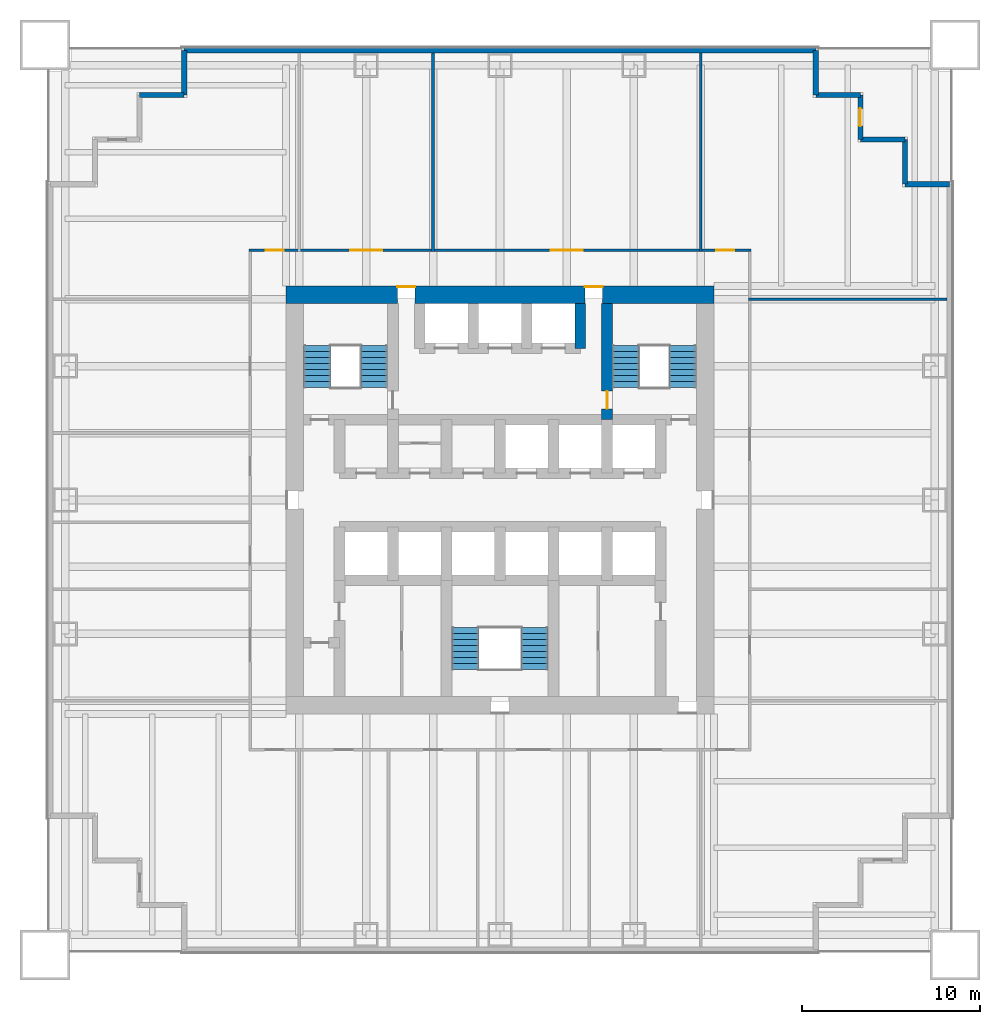
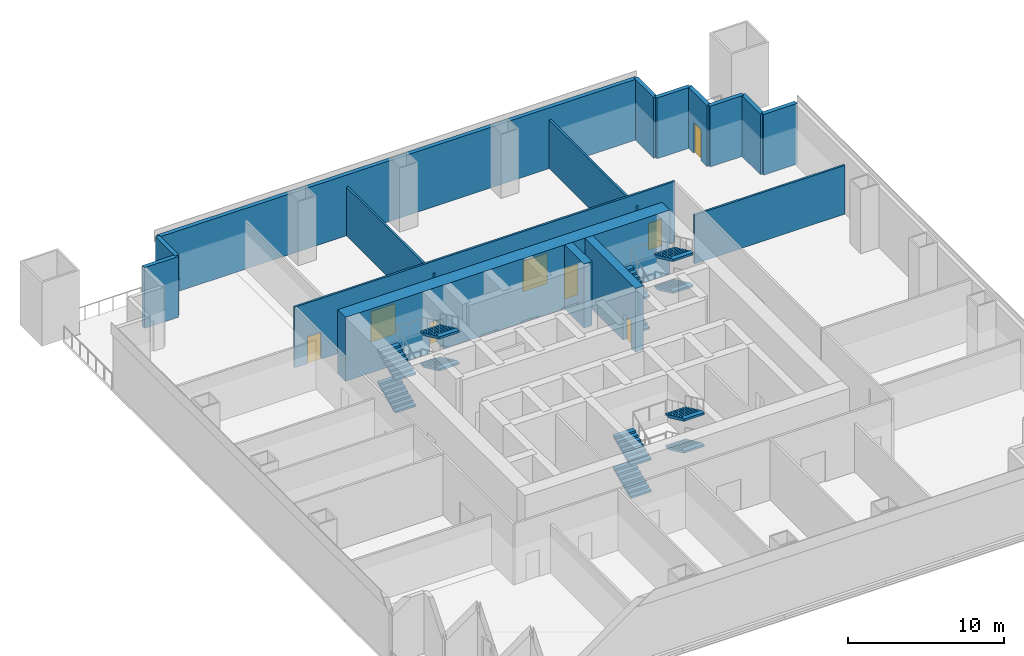
# One storey, part 4 of 6: 16 walls, 12 stair flights, 8 doors, 8 openings, 3 elements without a shape of their own.
"""IFC4 building model written with IfcOpenShell, lengths in metres."""

from ifc_helpers import new_model, si_unit, direction, frame, frame_2d, origin, place, context, subcontext, project, spatial, polyline, rectangle, outline, extrude, material, layer, layer_set, type_object, element, fill, aggregate, save


model = new_model("IFC4")

# Units and contexts
model_context = context("Model", 3, precision=1e-05, world=origin(), true_north=direction((0.0, 1.0)))
body_context = subcontext(model_context, "Body", "Model", "MODEL_VIEW")
ifc_project = project(units=[si_unit("LENGTHUNIT", "METRE"), si_unit("AREAUNIT", "SQUARE_METRE"), si_unit("VOLUMEUNIT", "CUBIC_METRE"), si_unit("PLANEANGLEUNIT", "RADIAN"), si_unit("MASSUNIT", "GRAM", prefix="KILO")], contexts=[model_context])

# Site, building, storey
site_placement = place(None, origin())
site = spatial("IfcSite", under=ifc_project, at=site_placement, CompositionType="ELEMENT")
building_placement = place(site_placement, origin())
building = spatial("IfcBuilding", under=site, at=building_placement, Name="Tarangal Relay Tower", CompositionType="ELEMENT")
storey_placement = place(building_placement, frame((0.0, 0.0, 93.39990234375)))
storey = spatial("IfcBuildingStorey", under=building, at=storey_placement, Name="L18", CompositionType="ELEMENT", Elevation=93.39990234375)

# Wall, opening, door
ifc_material_1 = material(Name="Concrete fc' 60 MPa", Category="concrete")
ifc_layer_1 = layer(ifc_material_1, 0.60009765625)
ifc_layer_set_1 = layer_set([ifc_layer_1], Name="Core inner wall 600")
wall_type_1 = type_object("IfcWallType", Name="Core inner wall 600", PredefinedType="SHEAR", material=ifc_layer_set_1)
wall_1_placement = place(storey_placement, frame((6.0, 4.5, 0.0), z_axis=(0.0, 0.0, 1.0), x_axis=(0.0, 1.0, 0.0)))
wall_1 = element("IfcWall", 1, at=wall_1_placement, inside=storey, type_object=wall_type_1, Name="Core wall X6 L18", PredefinedType="SHEAR", context=body_context, shape_type="SweptSolid", body=[
    extrude(rectangle(XDim=6.5, YDim=0.60009765625, at=frame_2d((3.25, 0.0))), origin(), (0.0, 0.0, 1.0), 5.0),
])
opening_1_placement = place(wall_1_placement, frame((0.60009765625, 0.0, 0.0)))
opening_1 = element("IfcOpeningElement", 2, at=opening_1_placement, cuts=wall_1, Name="Opening FD1", PredefinedType="OPENING", context=body_context, shape_type="SweptSolid", body=[
    extrude(rectangle(XDim=1.0, YDim=2.10009765625, at=frame_2d((0.5, 1.050048828125))), frame((0.0, 0.31005859375, 0.0), z_axis=(0.0, -1.0, 0.0), x_axis=(1.0, 0.0, 0.0)), (0.0, 0.0, 1.0), 0.6201171875),
])
ifc_material_2 = material(Name="Steel door with hardwood frame", Category="steel")
door_type_1 = type_object("IfcDoorType", Name="Fire door 1000 x 2100", OperationType="SINGLE_SWING_LEFT", PredefinedType="DOOR", material=ifc_material_2)
door_1_placement = place(opening_1_placement, origin())
door_1 = element("IfcDoor", 3, at=door_1_placement, inside=storey, type_object=door_type_1, Name="Stair ST-B door from fire-fighting lobby L18", OperationType="SINGLE_SWING_LEFT", OverallHeight=2.10009765625, OverallWidth=1.0, PredefinedType="DOOR", context=body_context, shape_type="SweptSolid", body=[
    extrude(rectangle(XDim=1.0, YDim=2.10009765625, at=frame_2d((0.5, 1.050048828125))), frame((0.0, 0.02490234375, 0.0), z_axis=(0.0, -1.0, 0.0), x_axis=(1.0, 0.0, 0.0)), (0.0, 0.0, 1.0), 0.050048828125),
])
fill(opening_1, door_1)

# Wall
wall_2_placement = place(storey_placement, frame((4.5, 8.5, 0.0), z_axis=(0.0, 0.0, 1.0), x_axis=(0.0, 1.0, 0.0)))
element("IfcWall", 4, at=wall_2_placement, inside=storey, type_object=wall_type_1, Name="Core wall X45 L18", PredefinedType="SHEAR", context=body_context, shape_type="SweptSolid", body=[
    extrude(rectangle(XDim=2.5, YDim=0.60009765625, at=frame_2d((1.25, 0.0))), origin(), (0.0, 0.0, 1.0), 5.0),
])

# Wall, openings, doors
ifc_layer_2 = layer(ifc_material_1, 1.0)
ifc_layer_set_2 = layer_set([ifc_layer_2], Name="Core wall 1000")
wall_type_2 = type_object("IfcWallType", Name="Core wall 1000", PredefinedType="SHEAR", material=ifc_layer_set_2)
wall_3_placement = place(storey_placement, frame((-12.0, 11.5, 0.0), z_axis=(0.0, 0.0, 1.0), x_axis=(1.0, 0.0, 0.0)))
wall_3 = element("IfcWall", 5, at=wall_3_placement, inside=storey, type_object=wall_type_2, Name="Core wall N L18", PredefinedType="SHEAR", context=body_context, shape_type="SweptSolid", body=[
    extrude(rectangle(XDim=24.0, YDim=1.0, at=frame_2d((12.0, 0.0))), origin(), (0.0, 0.0, 1.0), 5.0),
])
opening_2_placement = place(wall_3_placement, frame((6.25, 0.0, 0.0)))
opening_2 = element("IfcOpeningElement", 6, at=opening_2_placement, cuts=wall_3, Name="Opening FD3", PredefinedType="OPENING", context=body_context, shape_type="SweptSolid", body=[
    extrude(rectangle(XDim=1.0, YDim=2.39990234375, at=frame_2d((0.5, 1.199951171875))), frame((0.0, 0.510009765625, 0.0), z_axis=(0.0, -1.0, 0.0), x_axis=(1.0, 0.0, 0.0)), (0.0, 0.0, 1.0), 1.02001953125),
])
opening_3_placement = place(wall_3_placement, frame((16.75, 0.0, 0.0)))
opening_3 = element("IfcOpeningElement", 7, at=opening_3_placement, cuts=wall_3, Name="Opening FD3", PredefinedType="OPENING", context=body_context, shape_type="SweptSolid", body=[
    extrude(rectangle(XDim=1.0, YDim=2.39990234375, at=frame_2d((0.5, 1.199951171875))), frame((0.0, 0.510009765625, 0.0), z_axis=(0.0, -1.0, 0.0), x_axis=(1.0, 0.0, 0.0)), (0.0, 0.0, 1.0), 1.02001953125),
])
door_type_2 = type_object("IfcDoorType", Name="Fire door 1000 x 2400 core entry", OperationType="SINGLE_SWING_RIGHT", PredefinedType="DOOR", material=ifc_material_2)
door_2_placement = place(opening_2_placement, origin())
door_2 = element("IfcDoor", 8, at=door_2_placement, inside=storey, type_object=door_type_2, Name="Core entry door north west L18", OperationType="SINGLE_SWING_RIGHT", OverallHeight=2.39990234375, OverallWidth=1.0, PredefinedType="DOOR", context=body_context, shape_type="SweptSolid", body=[
    extrude(rectangle(XDim=1.0, YDim=2.39990234375, at=frame_2d((0.5, 1.199951171875))), frame((0.0, 0.48486328125, 0.0), z_axis=(0.0, -1.0, 0.0), x_axis=(1.0, 0.0, 0.0)), (0.0, 0.0, 1.0), 0.050048828125),
])
fill(opening_2, door_2)
door_3_placement = place(opening_3_placement, origin())
door_3 = element("IfcDoor", 9, at=door_3_placement, inside=storey, type_object=door_type_2, Name="Core entry door north east L18", OperationType="SINGLE_SWING_RIGHT", OverallHeight=2.39990234375, OverallWidth=1.0, PredefinedType="DOOR", context=body_context, shape_type="SweptSolid", body=[
    extrude(rectangle(XDim=1.0, YDim=2.39990234375, at=frame_2d((0.5, 1.199951171875))), frame((0.0, 0.48486328125, 0.0), z_axis=(0.0, -1.0, 0.0), x_axis=(1.0, 0.0, 0.0)), (0.0, 0.0, 1.0), 0.050048828125),
])
fill(opening_3, door_3)

# Walls
ifc_material_3 = material(Name="Insulated precast concrete fc' 40 MPa", Category="concrete")
ifc_layer_3 = layer(ifc_material_3, 0.300048828125)
ifc_layer_set_3 = layer_set([ifc_layer_3], Name="Insulated precast concrete fc' 40 MPa")
wall_type_3 = type_object("IfcWallType", Name="Facade wall precast 300", PredefinedType="SOLIDWALL", material=ifc_layer_set_3)
wall_4_placement = place(storey_placement, frame((-17.699951171875, 25.199951171875, 0.0), z_axis=(0.0, 0.0, 1.0), x_axis=(1.0, 0.0, 0.0)))
element("IfcWall", 10, at=wall_4_placement, inside=storey, type_object=wall_type_3, Name="Facade wall N facade L18", PredefinedType="SOLIDWALL", context=body_context, shape_type="SweptSolid", body=[
    extrude(rectangle(XDim=35.39990234375, YDim=0.300048828125, at=frame_2d((17.699951171875, 0.0))), origin(), (0.0, 0.0, 1.0), 4.75),
])
for number, where, z_axis, x_axis, name in (
    (11, (17.699951171875, 25.199951171875, 0.0), (0.0, 0.0, 1.0), (0.0, -1.0, 0.0), "Facade wall N facade L18"),
    (12, (17.699951171875, 22.699951171875, 0.0), (0.0, 0.0, 1.0), (1.0, 0.0, 0.0), "Facade wall N facade L18"),
):
    element("IfcWall", number, at=place(storey_placement, frame(where, z_axis=z_axis, x_axis=x_axis)), inside=storey, type_object=wall_type_3, Name=name, PredefinedType="SOLIDWALL", context=body_context, shape_type="SweptSolid", body=[
        extrude(rectangle(XDim=2.5, YDim=0.300048828125, at=frame_2d((1.25, 0.0))), origin(), (0.0, 0.0, 1.0), 4.75),
    ])

# Wall, opening, door
wall_5_placement = place(storey_placement, frame((20.199951171875, 22.699951171875, 0.0), z_axis=(0.0, 0.0, 1.0), x_axis=(0.0, -1.0, 0.0)))
wall_5 = element("IfcWall", 13, at=wall_5_placement, inside=storey, type_object=wall_type_3, Name="Facade wall N facade L18", PredefinedType="SOLIDWALL", context=body_context, shape_type="SweptSolid", body=[
    extrude(rectangle(XDim=2.5, YDim=0.300048828125, at=frame_2d((1.25, 0.0))), origin(), (0.0, 0.0, 1.0), 4.75),
])
opening_4_placement = place(wall_5_placement, frame((0.75, 0.0, 0.0)))
opening_4 = element("IfcOpeningElement", 14, at=opening_4_placement, cuts=wall_5, Name="Opening TD1", PredefinedType="OPENING", context=body_context, shape_type="SweptSolid", body=[
    extrude(rectangle(XDim=1.0, YDim=2.39990234375, at=frame_2d((0.5, 1.199951171875))), frame((0.0, 0.159912109375, 0.0), z_axis=(0.0, -1.0, 0.0), x_axis=(1.0, 0.0, 0.0)), (0.0, 0.0, 1.0), 0.320068359375),
])
ifc_material_4 = material(Name="Aluminium glazed door", Category="aluminium")
door_type_3 = type_object("IfcDoorType", Name="Terrace door 1000 x 2400", OperationType="SINGLE_SWING_RIGHT", PredefinedType="DOOR", material=ifc_material_4)
door_4_placement = place(opening_4_placement, origin())
door_4 = element("IfcDoor", 15, at=door_4_placement, inside=storey, type_object=door_type_3, Name="Terrace door TD1 NE L18", OperationType="SINGLE_SWING_RIGHT", OverallHeight=2.39990234375, OverallWidth=1.0, PredefinedType="DOOR", context=body_context, shape_type="SweptSolid", body=[
    extrude(rectangle(XDim=1.0, YDim=2.39990234375, at=frame_2d((0.5, 1.199951171875))), frame((0.0, 0.02490234375, 0.0), z_axis=(0.0, -1.0, 0.0), x_axis=(1.0, 0.0, 0.0)), (0.0, 0.0, 1.0), 0.050048828125),
])
fill(opening_4, door_4)

# Walls
for number, where, z_axis, x_axis, name in (
    (16, (20.199951171875, 20.199951171875, 0.0), (0.0, 0.0, 1.0), (1.0, 0.0, 0.0), "Facade wall N facade L18"),
    (17, (22.699951171875, 20.199951171875, 0.0), (0.0, 0.0, 1.0), (0.0, -1.0, 0.0), "Facade wall N facade L18"),
    (18, (22.699951171875, 17.699951171875, 0.0), (0.0, 0.0, 1.0), (1.0, 0.0, 0.0), "Facade wall N facade L18"),
    (19, (-20.199951171875, 22.699951171875, 0.0), (0.0, 0.0, 1.0), (1.0, 0.0, 0.0), "Facade wall W facade L18"),
    (20, (-17.699951171875, 22.699951171875, 0.0), (0.0, 0.0, 1.0), (0.0, 1.0, 0.0), "Facade wall W facade L18"),
):
    element("IfcWall", number, at=place(storey_placement, frame(where, z_axis=z_axis, x_axis=x_axis)), inside=storey, type_object=wall_type_3, Name=name, PredefinedType="SOLIDWALL", context=body_context, shape_type="SweptSolid", body=[
        extrude(rectangle(XDim=2.5, YDim=0.300048828125, at=frame_2d((1.25, 0.0))), origin(), (0.0, 0.0, 1.0), 4.75),
    ])
ifc_material_5 = material(Name="Gypsum board on steel studs", Category="steel")
ifc_layer_4 = layer(ifc_material_5, 0.14990234375)
ifc_layer_set_4 = layer_set([ifc_layer_4], Name="Partition 150")
wall_type_4 = type_object("IfcWallType", Name="Partition 150", PredefinedType="PARTITIONING", material=ifc_layer_set_4)
wall_6_placement = place(storey_placement, frame((13.925048828125, 11.25, 0.0), z_axis=(0.0, 0.0, 1.0), x_axis=(1.0, 0.0, 0.0)))
element("IfcWall", 21, at=wall_6_placement, inside=storey, type_object=wall_type_4, Name="Partition PT1 L18", PredefinedType="PARTITIONING", context=body_context, shape_type="SweptSolid", body=[
    extrude(rectangle(XDim=11.125, YDim=0.14990234375, at=frame_2d((5.5625, 0.0))), origin(), (0.0, 0.0, 1.0), 3.822998046875),
])

# Wall, openings, doors
wall_7_placement = place(storey_placement, frame((-14.074951171875, 14.0, 0.0), z_axis=(0.0, 0.0, 1.0), x_axis=(1.0, 0.0, 0.0)))
wall_7 = element("IfcWall", 22, at=wall_7_placement, inside=storey, type_object=wall_type_4, Name="Partition PT1 L18", PredefinedType="PARTITIONING", context=body_context, shape_type="SweptSolid", body=[
    extrude(rectangle(XDim=28.14990234375, YDim=0.14990234375, at=frame_2d((14.074951171875, 0.0))), origin(), (0.0, 0.0, 1.0), 4.75),
])
opening_5_placement = place(wall_7_placement, frame((5.675048828125, 0.0, 0.0)))
opening_5 = element("IfcOpeningElement", 23, at=opening_5_placement, cuts=wall_7, Name="Opening DD1", PredefinedType="OPENING", context=body_context, shape_type="SweptSolid", body=[
    extrude(rectangle(XDim=1.800048828125, YDim=2.39990234375, at=frame_2d((0.89990234375, 1.199951171875))), frame((0.0, 0.0849609375, 0.0), z_axis=(0.0, -1.0, 0.0), x_axis=(1.0, 0.0, 0.0)), (0.0, 0.0, 1.0), 0.169921875),
])
opening_6_placement = place(wall_7_placement, frame((16.925048828125, 0.0, 0.0)))
opening_6 = element("IfcOpeningElement", 24, at=opening_6_placement, cuts=wall_7, Name="Opening DD1", PredefinedType="OPENING", context=body_context, shape_type="SweptSolid", body=[
    extrude(rectangle(XDim=1.800048828125, YDim=2.39990234375, at=frame_2d((0.89990234375, 1.199951171875))), frame((0.0, 0.0849609375, 0.0), z_axis=(0.0, -1.0, 0.0), x_axis=(1.0, 0.0, 0.0)), (0.0, 0.0, 1.0), 0.169921875),
])
opening_7_placement = place(wall_7_placement, frame((26.199951171875, 0.0, 0.0)))
opening_7 = element("IfcOpeningElement", 25, at=opening_7_placement, cuts=wall_7, Name="Opening D2", PredefinedType="OPENING", context=body_context, shape_type="SweptSolid", body=[
    extrude(rectangle(XDim=1.0, YDim=2.10009765625, at=frame_2d((0.5, 1.050048828125))), frame((0.0, 0.0849609375, 0.0), z_axis=(0.0, -1.0, 0.0), x_axis=(1.0, 0.0, 0.0)), (0.0, 0.0, 1.0), 0.169921875),
])
opening_8_placement = place(wall_7_placement, frame((0.949951171875, 0.0, 0.0)))
opening_8 = element("IfcOpeningElement", 26, at=opening_8_placement, cuts=wall_7, Name="Opening D2", PredefinedType="OPENING", context=body_context, shape_type="SweptSolid", body=[
    extrude(rectangle(XDim=1.0, YDim=2.10009765625, at=frame_2d((0.5, 1.050048828125))), frame((0.0, 0.0849609375, 0.0), z_axis=(0.0, -1.0, 0.0), x_axis=(1.0, 0.0, 0.0)), (0.0, 0.0, 1.0), 0.169921875),
])
ifc_material_6 = material(Name="Hardwood door", Category="wood")
door_type_4 = type_object("IfcDoorType", Name="Door 1000 x 2100", OperationType="SINGLE_SWING_LEFT", PredefinedType="DOOR", material=ifc_material_6)
door_5_placement = place(opening_7_placement, origin())
door_5 = element("IfcDoor", 27, at=door_5_placement, inside=storey, type_object=door_type_4, Name="Door D2 to network operations room L18-14", OperationType="SINGLE_SWING_LEFT", OverallHeight=2.10009765625, OverallWidth=1.0, PredefinedType="DOOR", context=body_context, shape_type="SweptSolid", body=[
    extrude(rectangle(XDim=1.0, YDim=2.10009765625, at=frame_2d((0.5, 1.050048828125))), frame((0.0, 0.02490234375, 0.0), z_axis=(0.0, -1.0, 0.0), x_axis=(1.0, 0.0, 0.0)), (0.0, 0.0, 1.0), 0.050048828125),
])
fill(opening_7, door_5)
door_6_placement = place(opening_8_placement, origin())
door_6 = element("IfcDoor", 28, at=door_6_placement, inside=storey, type_object=door_type_4, Name="Door D2 to customer office L18-17", OperationType="SINGLE_SWING_LEFT", OverallHeight=2.10009765625, OverallWidth=1.0, PredefinedType="DOOR", context=body_context, shape_type="SweptSolid", body=[
    extrude(rectangle(XDim=1.0, YDim=2.10009765625, at=frame_2d((0.5, 1.050048828125))), frame((0.0, 0.02490234375, 0.0), z_axis=(0.0, -1.0, 0.0), x_axis=(1.0, 0.0, 0.0)), (0.0, 0.0, 1.0), 0.050048828125),
])
fill(opening_8, door_6)
door_type_5 = type_object("IfcDoorType", Name="Equipment double door 1800 x 2400", OperationType="DOUBLE_DOOR_SINGLE_SWING", PredefinedType="DOOR", material=ifc_material_2)
door_7_placement = place(opening_5_placement, origin())
door_7 = element("IfcDoor", 29, at=door_7_placement, inside=storey, type_object=door_type_5, Name="Door DD1 to switchgear room L18-02", OperationType="DOUBLE_DOOR_SINGLE_SWING", OverallHeight=2.39990234375, OverallWidth=1.800048828125, PredefinedType="DOOR", context=body_context, shape_type="SweptSolid", body=[
    extrude(rectangle(XDim=1.800048828125, YDim=2.39990234375, at=frame_2d((0.89990234375, 1.199951171875))), frame((0.0, 0.02490234375, 0.0), z_axis=(0.0, -1.0, 0.0), x_axis=(1.0, 0.0, 0.0)), (0.0, 0.0, 1.0), 0.050048828125),
])
fill(opening_5, door_7)
door_8_placement = place(opening_6_placement, origin())
door_8 = element("IfcDoor", 30, at=door_8_placement, inside=storey, type_object=door_type_5, Name="Door DD1 to data hall L18-03", OperationType="DOUBLE_DOOR_SINGLE_SWING", OverallHeight=2.39990234375, OverallWidth=1.800048828125, PredefinedType="DOOR", context=body_context, shape_type="SweptSolid", body=[
    extrude(rectangle(XDim=1.800048828125, YDim=2.39990234375, at=frame_2d((0.89990234375, 1.199951171875))), frame((0.0, 0.02490234375, 0.0), z_axis=(0.0, -1.0, 0.0), x_axis=(1.0, 0.0, 0.0)), (0.0, 0.0, 1.0), 0.050048828125),
])
fill(opening_6, door_8)

# Walls
for number, where, z_axis, x_axis, name in (
    (31, (-3.75, 13.925048828125, 0.0), (0.0, 0.0, 1.0), (0.0, 1.0, 0.0), "Partition PT1 L18"),
    (32, (11.25, 13.925048828125, 0.0), (0.0, 0.0, 1.0), (0.0, 1.0, 0.0), "Partition PT1 L18"),
):
    element("IfcWall", number, at=place(storey_placement, frame(where, z_axis=z_axis, x_axis=x_axis)), inside=storey, type_object=wall_type_4, Name=name, PredefinedType="PARTITIONING", context=body_context, shape_type="SweptSolid", body=[
        extrude(rectangle(XDim=11.125, YDim=0.14990234375, at=frame_2d((5.5625, 0.0))), origin(), (0.0, 0.0, 1.0), 3.822998046875),
    ])

# Stair, stair flights
ifc_material_7 = material(Name="Steel ASTM A992 stair flight", Category="steel")
stair_type = type_object("IfcStairType", Name="Core stair 1500", PredefinedType="HALF_TURN_STAIR", material=ifc_material_7)
stair_1_placement = place(storey_placement, origin())
stair_1 = element("IfcStair", 33, at=stair_1_placement, inside=storey, type_object=stair_type, Name="Stair ST-A L18", PredefinedType="HALF_TURN_STAIR")
stair_flight_type = type_object("IfcStairFlightType", Name="Steel stair flight 1500, 8 risers 156 x 335", PredefinedType="STRAIGHT", material=ifc_material_7)
stair_flight_1_placement = place(storey_placement, frame((-10.25, 6.300048828125, 0.0), z_axis=(0.0, 0.0, 1.0), x_axis=(0.0, 1.0, 0.0)))
stair_flight_1 = element("IfcStairFlight", 34, at=stair_flight_1_placement, type_object=stair_flight_type, Name="ST-A flight 1", NumberOfRisers=8, NumberOfTreads=7, PredefinedType="STRAIGHT", RiserHeight=0.15625, TreadLength=0.335, context=body_context, shape_type="SweptSolid", body=[
    extrude(outline(polyline([(0.0, 0.0), (0.0, 0.15625), (0.3349609375, 0.15625), (0.3349609375, 0.3125), (0.669921875, 0.3125), (0.669921875, 0.46875), (1.0048828125, 0.46875), (1.0048828125, 0.625), (1.340087890625, 0.625), (1.340087890625, 0.78125), (1.675048828125, 0.78125), (1.675048828125, 0.9375), (2.010009765625, 0.9375), (2.010009765625, 1.09375), (2.344970703125, 1.09375), (2.344970703125, 1.25), (2.344970703125, 0.92822265625), (0.354736328125, 0.0), (0.0, 0.0)])), frame((0.0, 0.75, 0.0), z_axis=(0.0, -1.0, 0.0), x_axis=(1.0, 0.0, 0.0)), (0.0, 0.0, 1.0), 1.5),
])
stair_flight_2_placement = place(storey_placement, frame((-7.050048828125, 8.64501953125, 1.25), z_axis=(0.0, 0.0, 1.0), x_axis=(0.0, -1.0, 0.0)))
stair_flight_2 = element("IfcStairFlight", 35, at=stair_flight_2_placement, type_object=stair_flight_type, Name="ST-A flight 2", NumberOfRisers=8, NumberOfTreads=7, PredefinedType="STRAIGHT", RiserHeight=0.15625, TreadLength=0.335, context=body_context, shape_type="SweptSolid", body=[
    extrude(outline(polyline([(0.0, 0.0), (0.0, 0.15625), (0.3349609375, 0.15625), (0.3349609375, 0.3125), (0.669921875, 0.3125), (0.669921875, 0.46875), (1.0048828125, 0.46875), (1.0048828125, 0.625), (1.340087890625, 0.625), (1.340087890625, 0.78125), (1.675048828125, 0.78125), (1.675048828125, 0.9375), (2.010009765625, 0.9375), (2.010009765625, 1.09375), (2.344970703125, 1.09375), (2.344970703125, 1.25), (2.344970703125, 0.92822265625), (0.354736328125, 0.0), (0.0, 0.0)])), frame((0.0, 0.75, 0.0), z_axis=(0.0, -1.0, 0.0), x_axis=(1.0, 0.0, 0.0)), (0.0, 0.0, 1.0), 1.5),
])
stair_flight_3_placement = place(storey_placement, frame((-10.25, 6.300048828125, 2.5), z_axis=(0.0, 0.0, 1.0), x_axis=(0.0, 1.0, 0.0)))
stair_flight_3 = element("IfcStairFlight", 36, at=stair_flight_3_placement, type_object=stair_flight_type, Name="ST-A flight 3", NumberOfRisers=8, NumberOfTreads=7, PredefinedType="STRAIGHT", RiserHeight=0.15625, TreadLength=0.335, context=body_context, shape_type="SweptSolid", body=[
    extrude(outline(polyline([(0.0, 0.0), (0.0, 0.15625), (0.3349609375, 0.15625), (0.3349609375, 0.3125), (0.669921875, 0.3125), (0.669921875, 0.46875), (1.0048828125, 0.46875), (1.0048828125, 0.625), (1.340087890625, 0.625), (1.340087890625, 0.78125), (1.675048828125, 0.78125), (1.675048828125, 0.9375), (2.010009765625, 0.9375), (2.010009765625, 1.09375), (2.344970703125, 1.09375), (2.344970703125, 1.25), (2.344970703125, 0.92822265625), (0.354736328125, 0.0), (0.0, 0.0)])), frame((0.0, 0.75, 0.0), z_axis=(0.0, -1.0, 0.0), x_axis=(1.0, 0.0, 0.0)), (0.0, 0.0, 1.0), 1.5),
])
stair_flight_4_placement = place(storey_placement, frame((-7.050048828125, 8.64501953125, 3.75), z_axis=(0.0, 0.0, 1.0), x_axis=(0.0, -1.0, 0.0)))
stair_flight_4 = element("IfcStairFlight", 37, at=stair_flight_4_placement, type_object=stair_flight_type, Name="ST-A flight 4", NumberOfRisers=8, NumberOfTreads=7, PredefinedType="STRAIGHT", RiserHeight=0.15625, TreadLength=0.335, context=body_context, shape_type="SweptSolid", body=[
    extrude(outline(polyline([(0.0, 0.0), (0.0, 0.15625), (0.3349609375, 0.15625), (0.3349609375, 0.3125), (0.669921875, 0.3125), (0.669921875, 0.46875), (1.0048828125, 0.46875), (1.0048828125, 0.625), (1.340087890625, 0.625), (1.340087890625, 0.78125), (1.675048828125, 0.78125), (1.675048828125, 0.9375), (2.010009765625, 0.9375), (2.010009765625, 1.09375), (2.344970703125, 1.09375), (2.344970703125, 1.25), (2.344970703125, 0.92822265625), (0.354736328125, 0.0), (0.0, 0.0)])), frame((0.0, 0.75, 0.0), z_axis=(0.0, -1.0, 0.0), x_axis=(1.0, 0.0, 0.0)), (0.0, 0.0, 1.0), 1.5),
])
aggregate(stair_1, [stair_flight_1, stair_flight_2, stair_flight_3, stair_flight_4])

stair_2_placement = place(storey_placement, origin())
stair_2 = element("IfcStair", 38, at=stair_2_placement, inside=storey, type_object=stair_type, Name="Stair ST-B L18", PredefinedType="HALF_TURN_STAIR")
stair_flight_5_placement = place(storey_placement, frame((7.050048828125, 6.300048828125, 0.0), z_axis=(0.0, 0.0, 1.0), x_axis=(0.0, 1.0, 0.0)))
stair_flight_5 = element("IfcStairFlight", 39, at=stair_flight_5_placement, type_object=stair_flight_type, Name="ST-B flight 1", NumberOfRisers=8, NumberOfTreads=7, PredefinedType="STRAIGHT", RiserHeight=0.15625, TreadLength=0.335, context=body_context, shape_type="SweptSolid", body=[
    extrude(outline(polyline([(0.0, 0.0), (0.0, 0.15625), (0.3349609375, 0.15625), (0.3349609375, 0.3125), (0.669921875, 0.3125), (0.669921875, 0.46875), (1.0048828125, 0.46875), (1.0048828125, 0.625), (1.340087890625, 0.625), (1.340087890625, 0.78125), (1.675048828125, 0.78125), (1.675048828125, 0.9375), (2.010009765625, 0.9375), (2.010009765625, 1.09375), (2.344970703125, 1.09375), (2.344970703125, 1.25), (2.344970703125, 0.92822265625), (0.354736328125, 0.0), (0.0, 0.0)])), frame((0.0, 0.75, 0.0), z_axis=(0.0, -1.0, 0.0), x_axis=(1.0, 0.0, 0.0)), (0.0, 0.0, 1.0), 1.5),
])
stair_flight_6_placement = place(storey_placement, frame((10.25, 8.64501953125, 1.25), z_axis=(0.0, 0.0, 1.0), x_axis=(0.0, -1.0, 0.0)))
stair_flight_6 = element("IfcStairFlight", 40, at=stair_flight_6_placement, type_object=stair_flight_type, Name="ST-B flight 2", NumberOfRisers=8, NumberOfTreads=7, PredefinedType="STRAIGHT", RiserHeight=0.15625, TreadLength=0.335, context=body_context, shape_type="SweptSolid", body=[
    extrude(outline(polyline([(0.0, 0.0), (0.0, 0.15625), (0.3349609375, 0.15625), (0.3349609375, 0.3125), (0.669921875, 0.3125), (0.669921875, 0.46875), (1.0048828125, 0.46875), (1.0048828125, 0.625), (1.340087890625, 0.625), (1.340087890625, 0.78125), (1.675048828125, 0.78125), (1.675048828125, 0.9375), (2.010009765625, 0.9375), (2.010009765625, 1.09375), (2.344970703125, 1.09375), (2.344970703125, 1.25), (2.344970703125, 0.92822265625), (0.354736328125, 0.0), (0.0, 0.0)])), frame((0.0, 0.75, 0.0), z_axis=(0.0, -1.0, 0.0), x_axis=(1.0, 0.0, 0.0)), (0.0, 0.0, 1.0), 1.5),
])
stair_flight_7_placement = place(storey_placement, frame((7.050048828125, 6.300048828125, 2.5), z_axis=(0.0, 0.0, 1.0), x_axis=(0.0, 1.0, 0.0)))
stair_flight_7 = element("IfcStairFlight", 41, at=stair_flight_7_placement, type_object=stair_flight_type, Name="ST-B flight 3", NumberOfRisers=8, NumberOfTreads=7, PredefinedType="STRAIGHT", RiserHeight=0.15625, TreadLength=0.335, context=body_context, shape_type="SweptSolid", body=[
    extrude(outline(polyline([(0.0, 0.0), (0.0, 0.15625), (0.3349609375, 0.15625), (0.3349609375, 0.3125), (0.669921875, 0.3125), (0.669921875, 0.46875), (1.0048828125, 0.46875), (1.0048828125, 0.625), (1.340087890625, 0.625), (1.340087890625, 0.78125), (1.675048828125, 0.78125), (1.675048828125, 0.9375), (2.010009765625, 0.9375), (2.010009765625, 1.09375), (2.344970703125, 1.09375), (2.344970703125, 1.25), (2.344970703125, 0.92822265625), (0.354736328125, 0.0), (0.0, 0.0)])), frame((0.0, 0.75, 0.0), z_axis=(0.0, -1.0, 0.0), x_axis=(1.0, 0.0, 0.0)), (0.0, 0.0, 1.0), 1.5),
])
stair_flight_8_placement = place(storey_placement, frame((10.25, 8.64501953125, 3.75), z_axis=(0.0, 0.0, 1.0), x_axis=(0.0, -1.0, 0.0)))
stair_flight_8 = element("IfcStairFlight", 42, at=stair_flight_8_placement, type_object=stair_flight_type, Name="ST-B flight 4", NumberOfRisers=8, NumberOfTreads=7, PredefinedType="STRAIGHT", RiserHeight=0.15625, TreadLength=0.335, context=body_context, shape_type="SweptSolid", body=[
    extrude(outline(polyline([(0.0, 0.0), (0.0, 0.15625), (0.3349609375, 0.15625), (0.3349609375, 0.3125), (0.669921875, 0.3125), (0.669921875, 0.46875), (1.0048828125, 0.46875), (1.0048828125, 0.625), (1.340087890625, 0.625), (1.340087890625, 0.78125), (1.675048828125, 0.78125), (1.675048828125, 0.9375), (2.010009765625, 0.9375), (2.010009765625, 1.09375), (2.344970703125, 1.09375), (2.344970703125, 1.25), (2.344970703125, 0.92822265625), (0.354736328125, 0.0), (0.0, 0.0)])), frame((0.0, 0.75, 0.0), z_axis=(0.0, -1.0, 0.0), x_axis=(1.0, 0.0, 0.0)), (0.0, 0.0, 1.0), 1.5),
])
aggregate(stair_2, [stair_flight_5, stair_flight_6, stair_flight_7, stair_flight_8])

stair_3_placement = place(storey_placement, origin())
stair_3 = element("IfcStair", 43, at=stair_3_placement, inside=storey, type_object=stair_type, Name="Stair ST-C L18", PredefinedType="HALF_TURN_STAIR")
stair_flight_9_placement = place(storey_placement, frame((-1.949951171875, -9.5, 0.0), z_axis=(0.0, 0.0, 1.0), x_axis=(0.0, 1.0, 0.0)))
stair_flight_9 = element("IfcStairFlight", 44, at=stair_flight_9_placement, type_object=stair_flight_type, Name="ST-C flight 1", NumberOfRisers=8, NumberOfTreads=7, PredefinedType="STRAIGHT", RiserHeight=0.15625, TreadLength=0.335, context=body_context, shape_type="SweptSolid", body=[
    extrude(outline(polyline([(0.0, 0.0), (0.0, 0.15625), (0.3349609375, 0.15625), (0.3349609375, 0.3125), (0.669921875, 0.3125), (0.669921875, 0.46875), (1.0048828125, 0.46875), (1.0048828125, 0.625), (1.340087890625, 0.625), (1.340087890625, 0.78125), (1.675048828125, 0.78125), (1.675048828125, 0.9375), (2.010009765625, 0.9375), (2.010009765625, 1.09375), (2.344970703125, 1.09375), (2.344970703125, 1.25), (2.344970703125, 0.92822265625), (0.354736328125, 0.0), (0.0, 0.0)])), frame((0.0, 0.75, 0.0), z_axis=(0.0, -1.0, 0.0), x_axis=(1.0, 0.0, 0.0)), (0.0, 0.0, 1.0), 1.5),
])
stair_flight_10_placement = place(storey_placement, frame((1.949951171875, -7.155029296875, 1.25), z_axis=(0.0, 0.0, 1.0), x_axis=(0.0, -1.0, 0.0)))
stair_flight_10 = element("IfcStairFlight", 45, at=stair_flight_10_placement, type_object=stair_flight_type, Name="ST-C flight 2", NumberOfRisers=8, NumberOfTreads=7, PredefinedType="STRAIGHT", RiserHeight=0.15625, TreadLength=0.335, context=body_context, shape_type="SweptSolid", body=[
    extrude(outline(polyline([(0.0, 0.0), (0.0, 0.15625), (0.3349609375, 0.15625), (0.3349609375, 0.3125), (0.669921875, 0.3125), (0.669921875, 0.46875), (1.0048828125, 0.46875), (1.0048828125, 0.625), (1.340087890625, 0.625), (1.340087890625, 0.78125), (1.675048828125, 0.78125), (1.675048828125, 0.9375), (2.010009765625, 0.9375), (2.010009765625, 1.09375), (2.344970703125, 1.09375), (2.344970703125, 1.25), (2.344970703125, 0.92822265625), (0.354736328125, 0.0), (0.0, 0.0)])), frame((0.0, 0.75, 0.0), z_axis=(0.0, -1.0, 0.0), x_axis=(1.0, 0.0, 0.0)), (0.0, 0.0, 1.0), 1.5),
])
stair_flight_11_placement = place(storey_placement, frame((-1.949951171875, -9.5, 2.5), z_axis=(0.0, 0.0, 1.0), x_axis=(0.0, 1.0, 0.0)))
stair_flight_11 = element("IfcStairFlight", 46, at=stair_flight_11_placement, type_object=stair_flight_type, Name="ST-C flight 3", NumberOfRisers=8, NumberOfTreads=7, PredefinedType="STRAIGHT", RiserHeight=0.15625, TreadLength=0.335, context=body_context, shape_type="SweptSolid", body=[
    extrude(outline(polyline([(0.0, 0.0), (0.0, 0.15625), (0.3349609375, 0.15625), (0.3349609375, 0.3125), (0.669921875, 0.3125), (0.669921875, 0.46875), (1.0048828125, 0.46875), (1.0048828125, 0.625), (1.340087890625, 0.625), (1.340087890625, 0.78125), (1.675048828125, 0.78125), (1.675048828125, 0.9375), (2.010009765625, 0.9375), (2.010009765625, 1.09375), (2.344970703125, 1.09375), (2.344970703125, 1.25), (2.344970703125, 0.92822265625), (0.354736328125, 0.0), (0.0, 0.0)])), frame((0.0, 0.75, 0.0), z_axis=(0.0, -1.0, 0.0), x_axis=(1.0, 0.0, 0.0)), (0.0, 0.0, 1.0), 1.5),
])
stair_flight_12_placement = place(storey_placement, frame((1.949951171875, -7.155029296875, 3.75), z_axis=(0.0, 0.0, 1.0), x_axis=(0.0, -1.0, 0.0)))
stair_flight_12 = element("IfcStairFlight", 47, at=stair_flight_12_placement, type_object=stair_flight_type, Name="ST-C flight 4", NumberOfRisers=8, NumberOfTreads=7, PredefinedType="STRAIGHT", RiserHeight=0.15625, TreadLength=0.335, context=body_context, shape_type="SweptSolid", body=[
    extrude(outline(polyline([(0.0, 0.0), (0.0, 0.15625), (0.3349609375, 0.15625), (0.3349609375, 0.3125), (0.669921875, 0.3125), (0.669921875, 0.46875), (1.0048828125, 0.46875), (1.0048828125, 0.625), (1.340087890625, 0.625), (1.340087890625, 0.78125), (1.675048828125, 0.78125), (1.675048828125, 0.9375), (2.010009765625, 0.9375), (2.010009765625, 1.09375), (2.344970703125, 1.09375), (2.344970703125, 1.25), (2.344970703125, 0.92822265625), (0.354736328125, 0.0), (0.0, 0.0)])), frame((0.0, 0.75, 0.0), z_axis=(0.0, -1.0, 0.0), x_axis=(1.0, 0.0, 0.0)), (0.0, 0.0, 1.0), 1.5),
])
aggregate(stair_3, [stair_flight_9, stair_flight_10, stair_flight_11, stair_flight_12])

save(model, "model.ifc")
